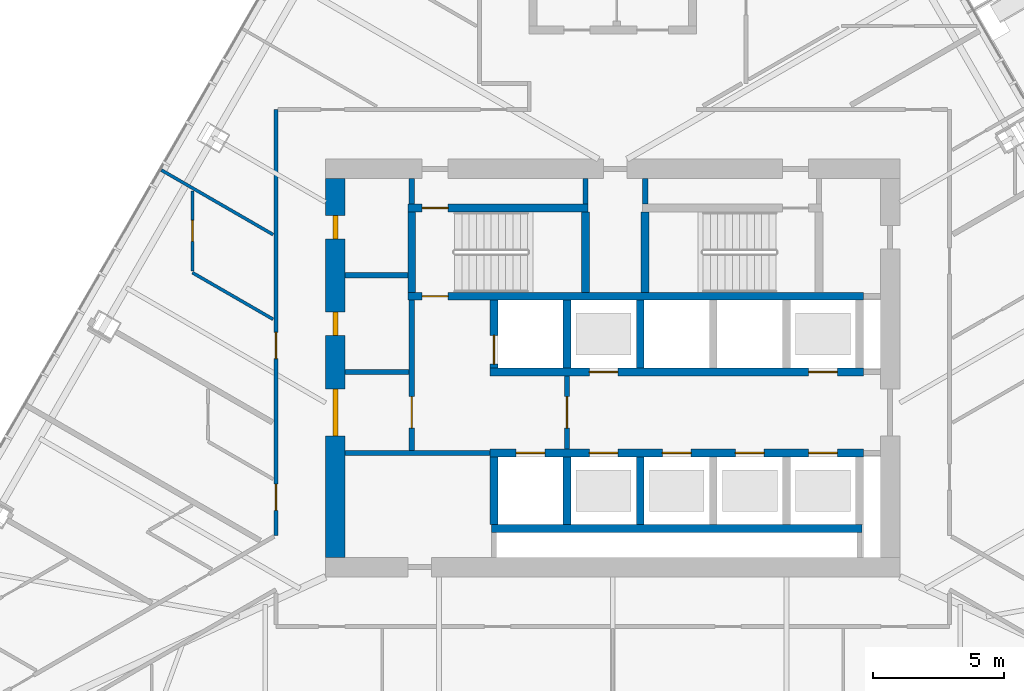
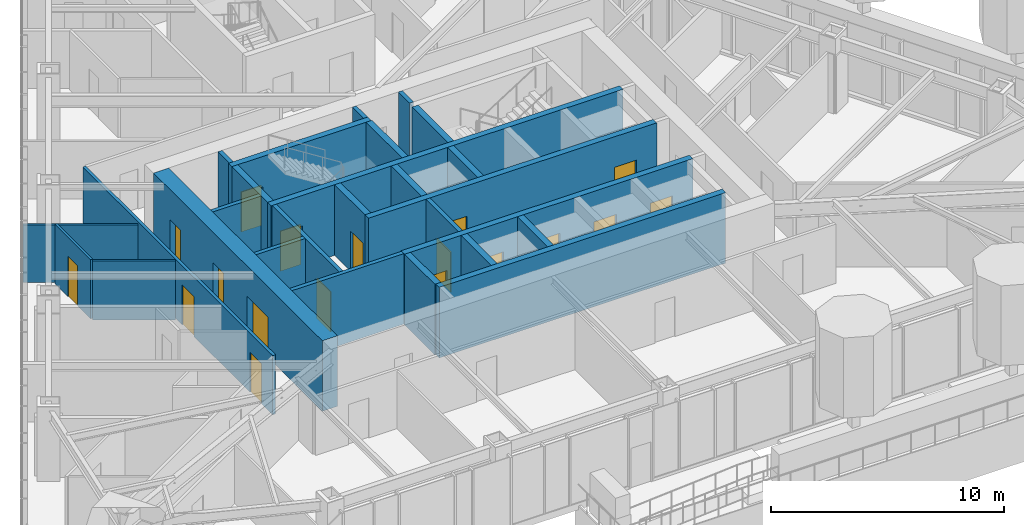
# One storey, part 12 of 18: 27 walls, 18 doors, 18 openings.
"""IFC4 building model written with IfcOpenShell, lengths in metres."""

from ifc_helpers import new_model, si_unit, direction, frame, frame_2d, origin, place, context, subcontext, project, spatial, rectangle, extrude, material, layer, layer_set, type_object, element, fill, save


model = new_model("IFC4")

# Units and contexts
model_context = context("Model", 3, precision=1e-05, world=origin(), true_north=direction((0.0, 1.0)))
body_context = subcontext(model_context, "Body", "Model", "MODEL_VIEW")
ifc_project = project(units=[si_unit("LENGTHUNIT", "METRE"), si_unit("AREAUNIT", "SQUARE_METRE"), si_unit("VOLUMEUNIT", "CUBIC_METRE"), si_unit("PLANEANGLEUNIT", "RADIAN"), si_unit("MASSUNIT", "GRAM", prefix="KILO")], contexts=[model_context])

# Site, building, storey
site_placement = place(None, origin())
site = spatial("IfcSite", under=ifc_project, at=site_placement, CompositionType="ELEMENT")
building_placement = place(site_placement, origin())
building = spatial("IfcBuilding", under=site, at=building_placement, Name="Firuza Gate Tower and Library", CompositionType="ELEMENT")
storey_placement = place(building_placement, frame((0.0, 0.0, 226.0)))
storey = spatial("IfcBuildingStorey", under=building, at=storey_placement, Name="L53", CompositionType="ELEMENT", Elevation=226.0)

# Walls
ifc_material_1 = material(Name="Plasterboard on steel studs", Category="steel")
ifc_layer_1 = layer(ifc_material_1, 0.199951171875)
ifc_layer_set_1 = layer_set([ifc_layer_1], Name="Core partition 200 EI 120")
wall_type_1 = type_object("IfcWallType", Name="Core partition 200 EI 120", PredefinedType="PARTITIONING", material=ifc_layer_set_1)
wall_1_placement = place(storey_placement, frame((64.75, 71.75, 0.0), z_axis=(0.0, 0.0, 1.0), x_axis=(1.0, 0.0, 0.0)))
element("IfcWall", 1, at=wall_1_placement, inside=storey, type_object=wall_type_1, Name="Core partition L53 1", PredefinedType="PARTITIONING", context=body_context, shape_type="SweptSolid", body=[
    extrude(rectangle(XDim=5.550048828125, YDim=0.199951171875, at=frame_2d((2.77490234375, 0.0))), origin(), (0.0, 0.0, 1.0), 3.699951171875),
])
ifc_material_2 = material(Name="Plasterboard on steel studs", Category="steel")
ifc_layer_2 = layer(ifc_material_2, 0.199951171875)
ifc_layer_set_2 = layer_set([ifc_layer_2], Name="Core partition 200 EI 60")
wall_type_2 = type_object("IfcWallType", Name="Core partition 200 EI 60", PredefinedType="PARTITIONING", material=ifc_layer_set_2)
wall_2_placement = place(storey_placement, frame((64.75, 74.85009765625, 0.0), z_axis=(0.0, 0.0, 1.0), x_axis=(1.0, 0.0, 0.0)))
element("IfcWall", 2, at=wall_2_placement, inside=storey, type_object=wall_type_2, Name="Core partition L53 3", PredefinedType="PARTITIONING", context=body_context, shape_type="SweptSolid", body=[
    extrude(rectangle(XDim=2.449951171875, YDim=0.199951171875, at=frame_2d((1.22509765625, 0.0))), origin(), (0.0, 0.0, 1.0), 3.699951171875),
])
wall_3_placement = place(storey_placement, frame((64.75, 78.550048828125, 0.0), z_axis=(0.0, 0.0, 1.0), x_axis=(1.0, 0.0, 0.0)))
element("IfcWall", 3, at=wall_3_placement, inside=storey, type_object=wall_type_2, Name="Core partition L53 6", PredefinedType="PARTITIONING", context=body_context, shape_type="SweptSolid", body=[
    extrude(rectangle(XDim=2.39990234375, YDim=0.199951171875, at=frame_2d((1.199951171875, 0.0))), origin(), (0.0, 0.0, 1.0), 3.699951171875),
])

# Wall, opening, door
wall_4_placement = place(storey_placement, frame((67.300048828125, 71.85009765625, 0.0), z_axis=(0.0, 0.0, 1.0), x_axis=(0.0, 1.0, 0.0)))
wall_4 = element("IfcWall", 4, at=wall_4_placement, inside=storey, type_object=wall_type_2, Name="Core partition L53 7", PredefinedType="PARTITIONING", context=body_context, shape_type="SweptSolid", body=[
    extrude(rectangle(XDim=5.75, YDim=0.199951171875, at=frame_2d((2.875, 0.0))), origin(), (0.0, 0.0, 1.0), 3.699951171875),
])
opening_1_placement = place(wall_4_placement, frame((0.85009765625, 0.0, 0.0)))
opening_1 = element("IfcOpeningElement", 5, at=opening_1_placement, cuts=wall_4, Name="Opening L53-K19", PredefinedType="OPENING", context=body_context, shape_type="SweptSolid", body=[
    extrude(rectangle(XDim=1.199951171875, YDim=2.10009765625, at=frame_2d((0.60009765625, 1.050048828125))), frame((0.0, 0.10986328125, 0.0), z_axis=(0.0, -1.0, 0.0), x_axis=(1.0, 0.0, 0.0)), (0.0, 0.0, 1.0), 0.219970703125),
])
ifc_material_3 = material(Name="Steel", Category="steel")
door_type_1 = type_object("IfcDoorType", Name="Fire door 1200x2100 FD90S", OperationType="NOTDEFINED", PredefinedType="DOOR", material=ifc_material_3)
door_1_placement = place(opening_1_placement, origin())
door_1 = element("IfcDoor", 6, at=door_1_placement, inside=storey, type_object=door_type_1, Name="Door L53-K19", OperationType="SINGLE_SWING_RIGHT", OverallHeight=2.10009765625, OverallWidth=1.199951171875, PredefinedType="DOOR", context=body_context, shape_type="SweptSolid", body=[
    extrude(rectangle(XDim=1.199951171875, YDim=2.10009765625, at=frame_2d((0.60009765625, 1.050048828125))), frame((0.0, 0.02490234375, 0.0), z_axis=(0.0, -1.0, 0.0), x_axis=(1.0, 0.0, 0.0)), (0.0, 0.0, 1.0), 0.050048828125),
])
fill(opening_1, door_1)

# Wall
wall_5_placement = place(storey_placement, frame((67.300048828125, 81.280029296875, 0.0), z_axis=(0.0, 0.0, 1.0), x_axis=(0.0, 1.0, 0.0)))
element("IfcWall", 7, at=wall_5_placement, inside=storey, type_object=wall_type_2, Name="Core partition L53 8", PredefinedType="PARTITIONING", context=body_context, shape_type="SweptSolid", body=[
    extrude(rectangle(XDim=0.969970703125, YDim=0.199951171875, at=frame_2d((0.48486328125, 0.0))), origin(), (0.0, 0.0, 1.0), 3.699951171875),
])

# Wall, opening, door
wall_6_placement = place(storey_placement, frame((73.25, 71.89990234375, 0.0), z_axis=(0.0, 0.0, 1.0), x_axis=(0.0, 1.0, 0.0)))
wall_6 = element("IfcWall", 8, at=wall_6_placement, inside=storey, type_object=wall_type_2, Name="Core partition L53 10", PredefinedType="PARTITIONING", context=body_context, shape_type="SweptSolid", body=[
    extrude(rectangle(XDim=2.800048828125, YDim=0.199951171875, at=frame_2d((1.39990234375, 0.0))), origin(), (0.0, 0.0, 1.0), 3.699951171875),
])
opening_2_placement = place(wall_6_placement, frame((0.800048828125, 0.0, 0.0)))
opening_2 = element("IfcOpeningElement", 9, at=opening_2_placement, cuts=wall_6, Name="Opening L53-K18", PredefinedType="OPENING", context=body_context, shape_type="SweptSolid", body=[
    extrude(rectangle(XDim=1.199951171875, YDim=2.10009765625, at=frame_2d((0.60009765625, 1.050048828125))), frame((0.0, 0.10986328125, 0.0), z_axis=(0.0, -1.0, 0.0), x_axis=(1.0, 0.0, 0.0)), (0.0, 0.0, 1.0), 0.219970703125),
])
door_2_placement = place(opening_2_placement, origin())
door_2 = element("IfcDoor", 10, at=door_2_placement, inside=storey, type_object=door_type_1, Name="Door L53-K18", OperationType="SINGLE_SWING_LEFT", OverallHeight=2.10009765625, OverallWidth=1.199951171875, PredefinedType="DOOR", context=body_context, shape_type="SweptSolid", body=[
    extrude(rectangle(XDim=1.199951171875, YDim=2.10009765625, at=frame_2d((0.60009765625, 1.050048828125))), frame((0.0, 0.02490234375, 0.0), z_axis=(0.0, -1.0, 0.0), x_axis=(1.0, 0.0, 0.0)), (0.0, 0.0, 1.0), 0.050048828125),
])
fill(opening_2, door_2)

# Walls
for number, where, z_axis, x_axis, name in (
    (11, (73.9599609375, 81.280029296875, 0.0), (0.0, 0.0, 1.0), (0.0, 1.0, 0.0), "Core partition L53 11"),
    (12, (76.239990234375, 81.280029296875, 0.0), (0.0, 0.0, 1.0), (0.0, 1.0, 0.0), "Core partition L53 12"),
):
    element("IfcWall", number, at=place(storey_placement, frame(where, z_axis=z_axis, x_axis=x_axis)), inside=storey, type_object=wall_type_2, Name=name, PredefinedType="PARTITIONING", context=body_context, shape_type="SweptSolid", body=[
        extrude(rectangle(XDim=0.969970703125, YDim=0.199951171875, at=frame_2d((0.48486328125, 0.0))), origin(), (0.0, 0.0, 1.0), 3.699951171875),
    ])
ifc_material_4 = material(Name="Concrete C80/95", Category="concrete")
ifc_layer_3 = layer(ifc_material_4, 0.300048828125)
ifc_layer_set_3 = layer_set([ifc_layer_3], Name="Core wall 300 C80/95")
wall_type_3 = type_object("IfcWallType", Name="Core wall 300 C80/95", PredefinedType="SHEAR", material=ifc_layer_set_3)
wall_7_placement = place(storey_placement, frame((70.35009765625, 68.85009765625, 0.0), z_axis=(0.0, 0.0, 1.0), x_axis=(1.0, 0.0, 0.0)))
element("IfcWall", 13, at=wall_7_placement, inside=storey, type_object=wall_type_3, Name="Core wall L53 5", PredefinedType="SHEAR", context=body_context, shape_type="SweptSolid", body=[
    extrude(rectangle(XDim=14.199951171875, YDim=0.300048828125, at=frame_2d((7.10009765625, 0.0))), origin(), (0.0, 0.0, 1.0), 3.699951171875),
])

# Wall, openings, doors
wall_8_placement = place(storey_placement, frame((70.300048828125, 71.75, 0.0), z_axis=(0.0, 0.0, 1.0), x_axis=(1.0, 0.0, 0.0)))
wall_8 = element("IfcWall", 14, at=wall_8_placement, inside=storey, type_object=wall_type_3, Name="Core wall L53 6", PredefinedType="SHEAR", context=body_context, shape_type="SweptSolid", body=[
    extrude(rectangle(XDim=14.300048828125, YDim=0.300048828125, at=frame_2d((7.14990234375, 0.0))), origin(), (0.0, 0.0, 1.0), 3.699951171875),
])
opening_3_placement = place(wall_8_placement, frame((1.0, 0.0, 0.0)))
opening_3 = element("IfcOpeningElement", 15, at=opening_3_placement, cuts=wall_8, Name="Opening LD-FF1-L53", PredefinedType="OPENING", context=body_context, shape_type="SweptSolid", body=[
    extrude(rectangle(XDim=1.10009765625, YDim=2.10009765625, at=frame_2d((0.550048828125, 1.050048828125))), frame((0.0, 0.16015625, 0.0), z_axis=(0.0, -1.0, 0.0), x_axis=(1.0, 0.0, 0.0)), (0.0, 0.0, 1.0), 0.320068359375),
])
opening_4_placement = place(wall_8_placement, frame((3.800048828125, 0.0, 0.0)))
opening_4 = element("IfcOpeningElement", 16, at=opening_4_placement, cuts=wall_8, Name="Opening LD-MR1-L53", PredefinedType="OPENING", context=body_context, shape_type="SweptSolid", body=[
    extrude(rectangle(XDim=1.10009765625, YDim=2.10009765625, at=frame_2d((0.550048828125, 1.050048828125))), frame((0.0, 0.16015625, 0.0), z_axis=(0.0, -1.0, 0.0), x_axis=(1.0, 0.0, 0.0)), (0.0, 0.0, 1.0), 0.320068359375),
])
opening_5_placement = place(wall_8_placement, frame((6.60009765625, 0.0, 0.0)))
opening_5 = element("IfcOpeningElement", 17, at=opening_5_placement, cuts=wall_8, Name="Opening LD-MR2-L53", PredefinedType="OPENING", context=body_context, shape_type="SweptSolid", body=[
    extrude(rectangle(XDim=1.10009765625, YDim=2.10009765625, at=frame_2d((0.550048828125, 1.050048828125))), frame((0.0, 0.16015625, 0.0), z_axis=(0.0, -1.0, 0.0), x_axis=(1.0, 0.0, 0.0)), (0.0, 0.0, 1.0), 0.320068359375),
])
opening_6_placement = place(wall_8_placement, frame((9.39990234375, 0.0, 0.0)))
opening_6 = element("IfcOpeningElement", 18, at=opening_6_placement, cuts=wall_8, Name="Opening LD-MR3-L53", PredefinedType="OPENING", context=body_context, shape_type="SweptSolid", body=[
    extrude(rectangle(XDim=1.10009765625, YDim=2.10009765625, at=frame_2d((0.550048828125, 1.050048828125))), frame((0.0, 0.16015625, 0.0), z_axis=(0.0, -1.0, 0.0), x_axis=(1.0, 0.0, 0.0)), (0.0, 0.0, 1.0), 0.320068359375),
])
opening_7_placement = place(wall_8_placement, frame((12.199951171875, 0.0, 0.0)))
opening_7 = element("IfcOpeningElement", 19, at=opening_7_placement, cuts=wall_8, Name="Opening LD-MR5-L53", PredefinedType="OPENING", context=body_context, shape_type="SweptSolid", body=[
    extrude(rectangle(XDim=1.10009765625, YDim=2.10009765625, at=frame_2d((0.550048828125, 1.050048828125))), frame((0.0, 0.16015625, 0.0), z_axis=(0.0, -1.0, 0.0), x_axis=(1.0, 0.0, 0.0)), (0.0, 0.0, 1.0), 0.320068359375),
])
ifc_material_5 = material(Name="Stainless steel", Category="steel")
door_type_2 = type_object("IfcDoorType", Name="Lift landing door 1100x2100", OperationType="DOUBLE_DOOR_SLIDING", PredefinedType="DOOR", material=ifc_material_5)
door_3_placement = place(opening_3_placement, origin())
door_3 = element("IfcDoor", 20, at=door_3_placement, inside=storey, type_object=door_type_2, Name="Landing door FF1 L53", OperationType="DOUBLE_DOOR_SLIDING", OverallHeight=2.10009765625, OverallWidth=1.10009765625, PredefinedType="DOOR", context=body_context, shape_type="SweptSolid", body=[
    extrude(rectangle(XDim=1.10009765625, YDim=2.10009765625, at=frame_2d((0.550048828125, 1.050048828125))), frame((0.0, 0.02490234375, 0.0), z_axis=(0.0, -1.0, 0.0), x_axis=(1.0, 0.0, 0.0)), (0.0, 0.0, 1.0), 0.050048828125),
])
fill(opening_3, door_3)
door_4_placement = place(opening_4_placement, origin())
door_4 = element("IfcDoor", 21, at=door_4_placement, inside=storey, type_object=door_type_2, Name="Landing door MR1 L53", OperationType="DOUBLE_DOOR_SLIDING", OverallHeight=2.10009765625, OverallWidth=1.10009765625, PredefinedType="DOOR", context=body_context, shape_type="SweptSolid", body=[
    extrude(rectangle(XDim=1.10009765625, YDim=2.10009765625, at=frame_2d((0.550048828125, 1.050048828125))), frame((0.0, 0.02490234375, 0.0), z_axis=(0.0, -1.0, 0.0), x_axis=(1.0, 0.0, 0.0)), (0.0, 0.0, 1.0), 0.050048828125),
])
fill(opening_4, door_4)
door_5_placement = place(opening_5_placement, origin())
door_5 = element("IfcDoor", 22, at=door_5_placement, inside=storey, type_object=door_type_2, Name="Landing door MR2 L53", OperationType="DOUBLE_DOOR_SLIDING", OverallHeight=2.10009765625, OverallWidth=1.10009765625, PredefinedType="DOOR", context=body_context, shape_type="SweptSolid", body=[
    extrude(rectangle(XDim=1.10009765625, YDim=2.10009765625, at=frame_2d((0.550048828125, 1.050048828125))), frame((0.0, 0.02490234375, 0.0), z_axis=(0.0, -1.0, 0.0), x_axis=(1.0, 0.0, 0.0)), (0.0, 0.0, 1.0), 0.050048828125),
])
fill(opening_5, door_5)
door_6_placement = place(opening_6_placement, origin())
door_6 = element("IfcDoor", 23, at=door_6_placement, inside=storey, type_object=door_type_2, Name="Landing door MR3 L53", OperationType="DOUBLE_DOOR_SLIDING", OverallHeight=2.10009765625, OverallWidth=1.10009765625, PredefinedType="DOOR", context=body_context, shape_type="SweptSolid", body=[
    extrude(rectangle(XDim=1.10009765625, YDim=2.10009765625, at=frame_2d((0.550048828125, 1.050048828125))), frame((0.0, 0.02490234375, 0.0), z_axis=(0.0, -1.0, 0.0), x_axis=(1.0, 0.0, 0.0)), (0.0, 0.0, 1.0), 0.050048828125),
])
fill(opening_6, door_6)
door_7_placement = place(opening_7_placement, origin())
door_7 = element("IfcDoor", 24, at=door_7_placement, inside=storey, type_object=door_type_2, Name="Landing door MR5 L53", OperationType="DOUBLE_DOOR_SLIDING", OverallHeight=2.10009765625, OverallWidth=1.10009765625, PredefinedType="DOOR", context=body_context, shape_type="SweptSolid", body=[
    extrude(rectangle(XDim=1.10009765625, YDim=2.10009765625, at=frame_2d((0.550048828125, 1.050048828125))), frame((0.0, 0.02490234375, 0.0), z_axis=(0.0, -1.0, 0.0), x_axis=(1.0, 0.0, 0.0)), (0.0, 0.0, 1.0), 0.050048828125),
])
fill(opening_7, door_7)

wall_9_placement = place(storey_placement, frame((70.300048828125, 74.85009765625, 0.0), z_axis=(0.0, 0.0, 1.0), x_axis=(1.0, 0.0, 0.0)))
wall_9 = element("IfcWall", 25, at=wall_9_placement, inside=storey, type_object=wall_type_3, Name="Core wall L53 7", PredefinedType="SHEAR", context=body_context, shape_type="SweptSolid", body=[
    extrude(rectangle(XDim=14.300048828125, YDim=0.300048828125, at=frame_2d((7.14990234375, 0.0))), origin(), (0.0, 0.0, 1.0), 3.699951171875),
])
opening_8_placement = place(wall_9_placement, frame((3.800048828125, 0.0, 0.0)))
opening_8 = element("IfcOpeningElement", 26, at=opening_8_placement, cuts=wall_9, Name="Opening LD-MR4-L53", PredefinedType="OPENING", context=body_context, shape_type="SweptSolid", body=[
    extrude(rectangle(XDim=1.10009765625, YDim=2.10009765625, at=frame_2d((0.550048828125, 1.050048828125))), frame((0.0, 0.16015625, 0.0), z_axis=(0.0, -1.0, 0.0), x_axis=(1.0, 0.0, 0.0)), (0.0, 0.0, 1.0), 0.320068359375),
])
opening_9_placement = place(wall_9_placement, frame((12.199951171875, 0.0, 0.0)))
opening_9 = element("IfcOpeningElement", 27, at=opening_9_placement, cuts=wall_9, Name="Opening LD-MR6-L53", PredefinedType="OPENING", context=body_context, shape_type="SweptSolid", body=[
    extrude(rectangle(XDim=1.10009765625, YDim=2.10009765625, at=frame_2d((0.550048828125, 1.050048828125))), frame((0.0, 0.16015625, 0.0), z_axis=(0.0, -1.0, 0.0), x_axis=(1.0, 0.0, 0.0)), (0.0, 0.0, 1.0), 0.320068359375),
])
door_8_placement = place(opening_8_placement, origin())
door_8 = element("IfcDoor", 28, at=door_8_placement, inside=storey, type_object=door_type_2, Name="Landing door MR4 L53", OperationType="DOUBLE_DOOR_SLIDING", OverallHeight=2.10009765625, OverallWidth=1.10009765625, PredefinedType="DOOR", context=body_context, shape_type="SweptSolid", body=[
    extrude(rectangle(XDim=1.10009765625, YDim=2.10009765625, at=frame_2d((0.550048828125, 1.050048828125))), frame((0.0, 0.02490234375, 0.0), z_axis=(0.0, -1.0, 0.0), x_axis=(1.0, 0.0, 0.0)), (0.0, 0.0, 1.0), 0.050048828125),
])
fill(opening_8, door_8)
door_9_placement = place(opening_9_placement, origin())
door_9 = element("IfcDoor", 29, at=door_9_placement, inside=storey, type_object=door_type_2, Name="Landing door MR6 L53", OperationType="DOUBLE_DOOR_SLIDING", OverallHeight=2.10009765625, OverallWidth=1.10009765625, PredefinedType="DOOR", context=body_context, shape_type="SweptSolid", body=[
    extrude(rectangle(XDim=1.10009765625, YDim=2.10009765625, at=frame_2d((0.550048828125, 1.050048828125))), frame((0.0, 0.02490234375, 0.0), z_axis=(0.0, -1.0, 0.0), x_axis=(1.0, 0.0, 0.0)), (0.0, 0.0, 1.0), 0.050048828125),
])
fill(opening_9, door_9)

# Wall
wall_10_placement = place(storey_placement, frame((70.449951171875, 69.0, 0.0), z_axis=(0.0, 0.0, 1.0), x_axis=(0.0, 1.0, 0.0)))
element("IfcWall", 30, at=wall_10_placement, inside=storey, type_object=wall_type_3, Name="Core wall L53 8", PredefinedType="SHEAR", context=body_context, shape_type="SweptSolid", body=[
    extrude(rectangle(XDim=2.60009765625, YDim=0.300048828125, at=frame_2d((1.300048828125, 0.0))), origin(), (0.0, 0.0, 1.0), 3.699951171875),
])

# Wall, opening, door
wall_11_placement = place(storey_placement, frame((70.449951171875, 75.0, 0.0), z_axis=(0.0, 0.0, 1.0), x_axis=(0.0, 1.0, 0.0)))
wall_11 = element("IfcWall", 31, at=wall_11_placement, inside=storey, type_object=wall_type_3, Name="Core wall L53 9", PredefinedType="SHEAR", context=body_context, shape_type="SweptSolid", body=[
    extrude(rectangle(XDim=2.60009765625, YDim=0.300048828125, at=frame_2d((1.300048828125, 0.0))), origin(), (0.0, 0.0, 1.0), 3.699951171875),
])
opening_10_placement = place(wall_11_placement, frame((0.14990234375, 0.0, 0.0)))
opening_10 = element("IfcOpeningElement", 32, at=opening_10_placement, cuts=wall_11, Name="Opening LD-FF2-L53", PredefinedType="OPENING", context=body_context, shape_type="SweptSolid", body=[
    extrude(rectangle(XDim=1.10009765625, YDim=2.10009765625, at=frame_2d((0.550048828125, 1.050048828125))), frame((0.0, 0.16015625, 0.0), z_axis=(0.0, -1.0, 0.0), x_axis=(1.0, 0.0, 0.0)), (0.0, 0.0, 1.0), 0.320068359375),
])
door_10_placement = place(opening_10_placement, origin())
door_10 = element("IfcDoor", 33, at=door_10_placement, inside=storey, type_object=door_type_2, Name="Landing door FF2 L53", OperationType="DOUBLE_DOOR_SLIDING", OverallHeight=2.10009765625, OverallWidth=1.10009765625, PredefinedType="DOOR", context=body_context, shape_type="SweptSolid", body=[
    extrude(rectangle(XDim=1.10009765625, YDim=2.10009765625, at=frame_2d((0.550048828125, 1.050048828125))), frame((0.0, 0.02490234375, 0.0), z_axis=(0.0, -1.0, 0.0), x_axis=(1.0, 0.0, 0.0)), (0.0, 0.0, 1.0), 0.050048828125),
])
fill(opening_10, door_10)

# Walls
for number, where, z_axis, x_axis, name in (
    (34, (73.25, 69.0, 0.0), (0.0, 0.0, 1.0), (0.0, 1.0, 0.0), "Core wall L53 10"),
    (35, (73.25, 75.0, 0.0), (0.0, 0.0, 1.0), (0.0, 1.0, 0.0), "Core wall L53 11"),
    (36, (76.050048828125, 69.0, 0.0), (0.0, 0.0, 1.0), (0.0, 1.0, 0.0), "Core wall L53 12"),
    (37, (76.050048828125, 75.0, 0.0), (0.0, 0.0, 1.0), (0.0, 1.0, 0.0), "Core wall L53 13"),
):
    element("IfcWall", number, at=place(storey_placement, frame(where, z_axis=z_axis, x_axis=x_axis)), inside=storey, type_object=wall_type_3, Name=name, PredefinedType="SHEAR", context=body_context, shape_type="SweptSolid", body=[
        extrude(rectangle(XDim=2.60009765625, YDim=0.300048828125, at=frame_2d((1.300048828125, 0.0))), origin(), (0.0, 0.0, 1.0), 3.699951171875),
    ])

# Wall, opening, door
wall_12_placement = place(storey_placement, frame((67.14990234375, 77.75, 0.0), z_axis=(0.0, 0.0, 1.0), x_axis=(1.0, 0.0, 0.0)))
wall_12 = element("IfcWall", 38, at=wall_12_placement, inside=storey, type_object=wall_type_3, Name="Core wall L53 20", PredefinedType="SHEAR", context=body_context, shape_type="SweptSolid", body=[
    extrude(rectangle(XDim=17.4501953125, YDim=0.300048828125, at=frame_2d((8.72509765625, 0.0))), origin(), (0.0, 0.0, 1.0), 3.699951171875),
])
opening_11_placement = place(wall_12_placement, frame((0.544921875, 0.0, 0.0)))
opening_11 = element("IfcOpeningElement", 39, at=opening_11_placement, cuts=wall_12, Name="Opening L53-K10", PredefinedType="OPENING", context=body_context, shape_type="SweptSolid", body=[
    extrude(rectangle(XDim=1.0, YDim=2.10009765625, at=frame_2d((0.5, 1.050048828125))), frame((0.0, 0.16015625, 0.0), z_axis=(0.0, -1.0, 0.0), x_axis=(1.0, 0.0, 0.0)), (0.0, 0.0, 1.0), 0.320068359375),
])
ifc_material_6 = material(Name="Steel", Category="steel")
door_type_3 = type_object("IfcDoorType", Name="Fire door 1000x2100 FD90", OperationType="NOTDEFINED", PredefinedType="DOOR", material=ifc_material_6)
door_11_placement = place(opening_11_placement, origin())
door_11 = element("IfcDoor", 40, at=door_11_placement, inside=storey, type_object=door_type_3, Name="Door L53-K10", OperationType="SINGLE_SWING_LEFT", OverallHeight=2.10009765625, OverallWidth=1.0, PredefinedType="DOOR", context=body_context, shape_type="SweptSolid", body=[
    extrude(rectangle(XDim=1.0, YDim=2.10009765625, at=frame_2d((0.5, 1.050048828125))), frame((0.0, 0.02490234375, 0.0), z_axis=(0.0, -1.0, 0.0), x_axis=(1.0, 0.0, 0.0)), (0.0, 0.0, 1.0), 0.050048828125),
])
fill(opening_11, door_11)

wall_13_placement = place(storey_placement, frame((67.14990234375, 81.1298828125, 0.0), z_axis=(0.0, 0.0, 1.0), x_axis=(1.0, 0.0, 0.0)))
wall_13 = element("IfcWall", 41, at=wall_13_placement, inside=storey, type_object=wall_type_3, Name="Core wall L53 21", PredefinedType="SHEAR", context=body_context, shape_type="SweptSolid", body=[
    extrude(rectangle(XDim=6.91015625, YDim=0.300048828125, at=frame_2d((3.455078125, 0.0))), origin(), (0.0, 0.0, 1.0), 3.699951171875),
])
opening_12_placement = place(wall_13_placement, frame((0.544921875, 0.0, 0.0)))
opening_12 = element("IfcOpeningElement", 42, at=opening_12_placement, cuts=wall_13, Name="Opening L53-K11", PredefinedType="OPENING", context=body_context, shape_type="SweptSolid", body=[
    extrude(rectangle(XDim=1.0, YDim=2.10009765625, at=frame_2d((0.5, 1.050048828125))), frame((0.0, 0.16015625, 0.0), z_axis=(0.0, -1.0, 0.0), x_axis=(1.0, 0.0, 0.0)), (0.0, 0.0, 1.0), 0.320068359375),
])
door_12_placement = place(opening_12_placement, origin())
door_12 = element("IfcDoor", 43, at=door_12_placement, inside=storey, type_object=door_type_3, Name="Door L53-K11", OperationType="SINGLE_SWING_RIGHT", OverallHeight=2.10009765625, OverallWidth=1.0, PredefinedType="DOOR", context=body_context, shape_type="SweptSolid", body=[
    extrude(rectangle(XDim=1.0, YDim=2.10009765625, at=frame_2d((0.5, 1.050048828125))), frame((0.0, 0.02490234375, 0.0), z_axis=(0.0, -1.0, 0.0), x_axis=(1.0, 0.0, 0.0)), (0.0, 0.0, 1.0), 0.050048828125),
])
fill(opening_12, door_12)

# Walls
for number, where, z_axis, x_axis, name in (
    (44, (67.300048828125, 77.89990234375, 0.0), (0.0, 0.0, 1.0), (0.0, 1.0, 0.0), "Core wall L53 23"),
    (45, (73.9599609375, 77.89990234375, 0.0), (0.0, 0.0, 1.0), (0.0, 1.0, 0.0), "Core wall L53 24"),
    (46, (76.239990234375, 77.89990234375, 0.0), (0.0, 0.0, 1.0), (0.0, 1.0, 0.0), "Core wall L53 25"),
):
    element("IfcWall", number, at=place(storey_placement, frame(where, z_axis=z_axis, x_axis=x_axis)), inside=storey, type_object=wall_type_3, Name=name, PredefinedType="SHEAR", context=body_context, shape_type="SweptSolid", body=[
        extrude(rectangle(XDim=3.080078125, YDim=0.300048828125, at=frame_2d((1.5400390625, 0.0))), origin(), (0.0, 0.0, 1.0), 3.699951171875),
    ])

# Wall, openings, doors
ifc_material_7 = material(Name="Concrete C80/95", Category="concrete")
ifc_layer_4 = layer(ifc_material_7, 0.75)
ifc_layer_set_4 = layer_set([ifc_layer_4], Name="Core wall 750 C80/95")
wall_type_4 = type_object("IfcWallType", Name="Core wall 750 C80/95", PredefinedType="SHEAR", material=ifc_layer_set_4)
wall_14_placement = place(storey_placement, frame((64.375, 67.75, 0.0), z_axis=(0.0, 0.0, 1.0), x_axis=(0.0, 1.0, 0.0)))
wall_14 = element("IfcWall", 47, at=wall_14_placement, inside=storey, type_object=wall_type_4, Name="Core wall L53 3", PredefinedType="SHEAR", context=body_context, shape_type="SweptSolid", body=[
    extrude(rectangle(XDim=14.5, YDim=0.75, at=frame_2d((7.25, 0.0))), origin(), (0.0, 0.0, 1.0), 3.699951171875),
])
opening_13_placement = place(wall_14_placement, frame((4.64990234375, 0.0, 0.0)))
opening_13 = element("IfcOpeningElement", 48, at=opening_13_placement, cuts=wall_14, Name="Opening L53-K20", PredefinedType="OPENING", context=body_context, shape_type="SweptSolid", body=[
    extrude(rectangle(XDim=1.800048828125, YDim=2.10009765625, at=frame_2d((0.89990234375, 1.050048828125))), frame((0.0, 0.385009765625, 0.0), z_axis=(0.0, -1.0, 0.0), x_axis=(1.0, 0.0, 0.0)), (0.0, 0.0, 1.0), 0.77001953125),
])
opening_14_placement = place(wall_14_placement, frame((8.5, 0.0, 0.0)))
opening_14 = element("IfcOpeningElement", 49, at=opening_14_placement, cuts=wall_14, Name="Opening L53-K23", PredefinedType="OPENING", context=body_context, shape_type="SweptSolid", body=[
    extrude(rectangle(XDim=0.89990234375, YDim=2.10009765625, at=frame_2d((0.449951171875, 1.050048828125))), frame((0.0, 0.385009765625, 0.0), z_axis=(0.0, -1.0, 0.0), x_axis=(1.0, 0.0, 0.0)), (0.0, 0.0, 1.0), 0.77001953125),
])
opening_15_placement = place(wall_14_placement, frame((12.199951171875, 0.0, 0.0)))
opening_15 = element("IfcOpeningElement", 50, at=opening_15_placement, cuts=wall_14, Name="Opening L53-K24", PredefinedType="OPENING", context=body_context, shape_type="SweptSolid", body=[
    extrude(rectangle(XDim=0.89990234375, YDim=2.10009765625, at=frame_2d((0.449951171875, 1.050048828125))), frame((0.0, 0.385009765625, 0.0), z_axis=(0.0, -1.0, 0.0), x_axis=(1.0, 0.0, 0.0)), (0.0, 0.0, 1.0), 0.77001953125),
])
ifc_material_8 = material(Name="Steel", Category="steel")
door_type_4 = type_object("IfcDoorType", Name="Fire door 1800x2100 FD30S", OperationType="NOTDEFINED", PredefinedType="DOOR", material=ifc_material_8)
door_13_placement = place(opening_13_placement, origin())
door_13 = element("IfcDoor", 51, at=door_13_placement, inside=storey, type_object=door_type_4, Name="Door L53-K20", OperationType="SINGLE_SWING_LEFT", OverallHeight=2.10009765625, OverallWidth=1.800048828125, PredefinedType="DOOR", context=body_context, shape_type="SweptSolid", body=[
    extrude(rectangle(XDim=1.800048828125, YDim=2.10009765625, at=frame_2d((0.89990234375, 1.050048828125))), frame((0.0, 0.094970703125, 0.0), z_axis=(0.0, -1.0, 0.0), x_axis=(1.0, 0.0, 0.0)), (0.0, 0.0, 1.0), 0.18994140625),
])
fill(opening_13, door_13)
ifc_material_9 = material(Name="Steel", Category="steel")
door_type_5 = type_object("IfcDoorType", Name="Fire door 900x2100 FD30S", OperationType="NOTDEFINED", PredefinedType="DOOR", material=ifc_material_9)
door_14_placement = place(opening_14_placement, origin())
door_14 = element("IfcDoor", 52, at=door_14_placement, inside=storey, type_object=door_type_5, Name="Door L53-K23", OperationType="SINGLE_SWING_RIGHT", OverallHeight=2.10009765625, OverallWidth=0.89990234375, PredefinedType="DOOR", context=body_context, shape_type="SweptSolid", body=[
    extrude(rectangle(XDim=0.89990234375, YDim=2.10009765625, at=frame_2d((0.449951171875, 1.050048828125))), frame((0.0, 0.094970703125, 0.0), z_axis=(0.0, -1.0, 0.0), x_axis=(1.0, 0.0, 0.0)), (0.0, 0.0, 1.0), 0.18994140625),
])
fill(opening_14, door_14)
door_15_placement = place(opening_15_placement, origin())
door_15 = element("IfcDoor", 53, at=door_15_placement, inside=storey, type_object=door_type_5, Name="Door L53-K24", OperationType="SINGLE_SWING_LEFT", OverallHeight=2.10009765625, OverallWidth=0.89990234375, PredefinedType="DOOR", context=body_context, shape_type="SweptSolid", body=[
    extrude(rectangle(XDim=0.89990234375, YDim=2.10009765625, at=frame_2d((0.449951171875, 1.050048828125))), frame((0.0, 0.094970703125, 0.0), z_axis=(0.0, -1.0, 0.0), x_axis=(1.0, 0.0, 0.0)), (0.0, 0.0, 1.0), 0.18994140625),
])
fill(opening_15, door_15)

ifc_material_10 = material(Name="Gypsum board partition")
ifc_layer_5 = layer(ifc_material_10, 0.14990234375)
ifc_layer_set_5 = layer_set([ifc_layer_5], Name="Corridor wall 150 double board on steel studs")
wall_type_5 = type_object("IfcWallType", Name="Corridor wall 150 double board on steel studs", PredefinedType="PARTITIONING", material=ifc_layer_set_5)
wall_15_placement = place(storey_placement, frame((62.10009765625, 68.59130859375, 0.0), z_axis=(0.0, 0.0, 1.0), x_axis=(0.0, 1.0, 0.0)))
wall_15 = element("IfcWall", 54, at=wall_15_placement, inside=storey, type_object=wall_type_5, Name="f:L53:w058", PredefinedType="PARTITIONING", context=body_context, shape_type="SweptSolid", body=[
    extrude(rectangle(XDim=16.30810546875, YDim=0.14990234375, at=frame_2d((8.154052734375, 0.0))), origin(), (0.0, 0.0, 1.0), 3.10009765625),
])
opening_16_placement = place(wall_15_placement, frame((0.96044921875, 0.0, 0.0)))
opening_16 = element("IfcOpeningElement", 55, at=opening_16_placement, cuts=wall_15, Name="Opening L53-26", PredefinedType="OPENING", context=body_context, shape_type="SweptSolid", body=[
    extrude(rectangle(XDim=1.0, YDim=2.10009765625, at=frame_2d((0.5, 1.050048828125))), frame((0.0, 0.0849609375, 0.0), z_axis=(0.0, -1.0, 0.0), x_axis=(1.0, 0.0, 0.0)), (0.0, 0.0, 1.0), 0.169921875),
])
opening_17_placement = place(wall_15_placement, frame((6.77197265625, 0.0, 0.0)))
opening_17 = element("IfcOpeningElement", 56, at=opening_17_placement, cuts=wall_15, Name="Opening L53-27", PredefinedType="OPENING", context=body_context, shape_type="SweptSolid", body=[
    extrude(rectangle(XDim=1.0, YDim=2.10009765625, at=frame_2d((0.5, 1.050048828125))), frame((0.0, 0.0849609375, 0.0), z_axis=(0.0, -1.0, 0.0), x_axis=(1.0, 0.0, 0.0)), (0.0, 0.0, 1.0), 0.169921875),
])
ifc_material_11 = material(Name="Steel door and timber leaf", Category="steel")
door_type_6 = type_object("IfcDoorType", Name="Fire door 1000 x 2100 steel frame, timber leaf", OperationType="NOTDEFINED", PredefinedType="DOOR", material=ifc_material_11)
door_16_placement = place(opening_16_placement, origin())
door_16 = element("IfcDoor", 57, at=door_16_placement, inside=storey, type_object=door_type_6, Name="f:L53:d026", OperationType="SINGLE_SWING_RIGHT", OverallHeight=2.10009765625, OverallWidth=1.0, PredefinedType="DOOR", context=body_context, shape_type="SweptSolid", body=[
    extrude(rectangle(XDim=1.0, YDim=2.10009765625, at=frame_2d((0.5, 1.050048828125))), frame((0.0, 0.02490234375, 0.0), z_axis=(0.0, -1.0, 0.0), x_axis=(1.0, 0.0, 0.0)), (0.0, 0.0, 1.0), 0.050048828125),
])
fill(opening_16, door_16)
door_17_placement = place(opening_17_placement, origin())
door_17 = element("IfcDoor", 58, at=door_17_placement, inside=storey, type_object=door_type_6, Name="f:L53:d027", OperationType="SINGLE_SWING_RIGHT", OverallHeight=2.10009765625, OverallWidth=1.0, PredefinedType="DOOR", context=body_context, shape_type="SweptSolid", body=[
    extrude(rectangle(XDim=1.0, YDim=2.10009765625, at=frame_2d((0.5, 1.050048828125))), frame((0.0, 0.02490234375, 0.0), z_axis=(0.0, -1.0, 0.0), x_axis=(1.0, 0.0, 0.0)), (0.0, 0.0, 1.0), 0.050048828125),
])
fill(opening_17, door_17)

# Wall, opening, door
ifc_material_12 = material(Name="Gypsum board partition")
ifc_layer_6 = layer(ifc_material_12, 0.1201171875)
ifc_layer_set_6 = layer_set([ifc_layer_6], Name="Wet-area partition 120 moisture-resistant board")
wall_type_6 = type_object("IfcWallType", Name="Wet-area partition 120 moisture-resistant board", PredefinedType="PARTITIONING", material=ifc_layer_set_6)
wall_16_placement = place(storey_placement, frame((58.89990234375, 81.784912109375, 0.0), z_axis=(0.0, 0.0, 1.0), x_axis=(0.0, -1.0, 0.0)))
wall_16 = element("IfcWall", 59, at=wall_16_placement, inside=storey, type_object=wall_type_6, Name="f:L53:w060", PredefinedType="PARTITIONING", context=body_context, shape_type="SweptSolid", body=[
    extrude(rectangle(XDim=3.062744140625, YDim=0.1201171875, at=frame_2d((1.53125, 0.0))), origin(), (0.0, 0.0, 1.0), 3.10009765625),
])
opening_18_placement = place(wall_16_placement, frame((1.13134765625, 0.0, 0.0)))
opening_18 = element("IfcOpeningElement", 60, at=opening_18_placement, cuts=wall_16, Name="Opening L53-29", PredefinedType="OPENING", context=body_context, shape_type="SweptSolid", body=[
    extrude(rectangle(XDim=0.800048828125, YDim=2.10009765625, at=frame_2d((0.39990234375, 1.050048828125))), frame((0.0, 0.070068359375, 0.0), z_axis=(0.0, -1.0, 0.0), x_axis=(1.0, 0.0, 0.0)), (0.0, 0.0, 1.0), 0.14013671875),
])
ifc_material_13 = material(Name="Timber door", Category="wood")
door_type_7 = type_object("IfcDoorType", Name="Door 800 x 2100 timber leaf", OperationType="NOTDEFINED", PredefinedType="DOOR", material=ifc_material_13)
door_18_placement = place(opening_18_placement, origin())
door_18 = element("IfcDoor", 61, at=door_18_placement, inside=storey, type_object=door_type_7, Name="f:L53:d029", OperationType="SINGLE_SWING_RIGHT", OverallHeight=2.10009765625, OverallWidth=0.800048828125, PredefinedType="DOOR", context=body_context, shape_type="SweptSolid", body=[
    extrude(rectangle(XDim=0.800048828125, YDim=2.10009765625, at=frame_2d((0.39990234375, 1.050048828125))), frame((0.0, 0.02490234375, 0.0), z_axis=(0.0, -1.0, 0.0), x_axis=(1.0, 0.0, 0.0)), (0.0, 0.0, 1.0), 0.050048828125),
])
fill(opening_18, door_18)

# Walls
wall_17_placement = place(storey_placement, frame((61.99072265625, 80.1103515625, 0.0), z_axis=(0.0, 0.0, 1.0), x_axis=(-0.866024338871, 0.500001844479, 0.0)))
element("IfcWall", 62, at=wall_17_placement, inside=storey, type_object=wall_type_6, Name="f:L53:w076", PredefinedType="PARTITIONING", context=body_context, shape_type="SweptSolid", body=[
    extrude(rectangle(XDim=4.94189453125, YDim=0.1201171875, at=frame_2d((2.470947265625, 0.0))), origin(), (0.0, 0.0, 1.0), 3.02197265625),
])
wall_18_placement = place(storey_placement, frame((61.990234375, 76.868408203125, 0.0), z_axis=(0.0, 0.0, 1.0), x_axis=(-0.866028357664, 0.499994883695, 0.0)))
element("IfcWall", 63, at=wall_18_placement, inside=storey, type_object=wall_type_6, Name="f:L53:w077", PredefinedType="PARTITIONING", context=body_context, shape_type="SweptSolid", body=[
    extrude(rectangle(XDim=3.568359375, YDim=0.1201171875, at=frame_2d((1.7841796875, 0.0))), origin(), (0.0, 0.0, 1.0), 3.10009765625),
])

save(model, "model.ifc")
